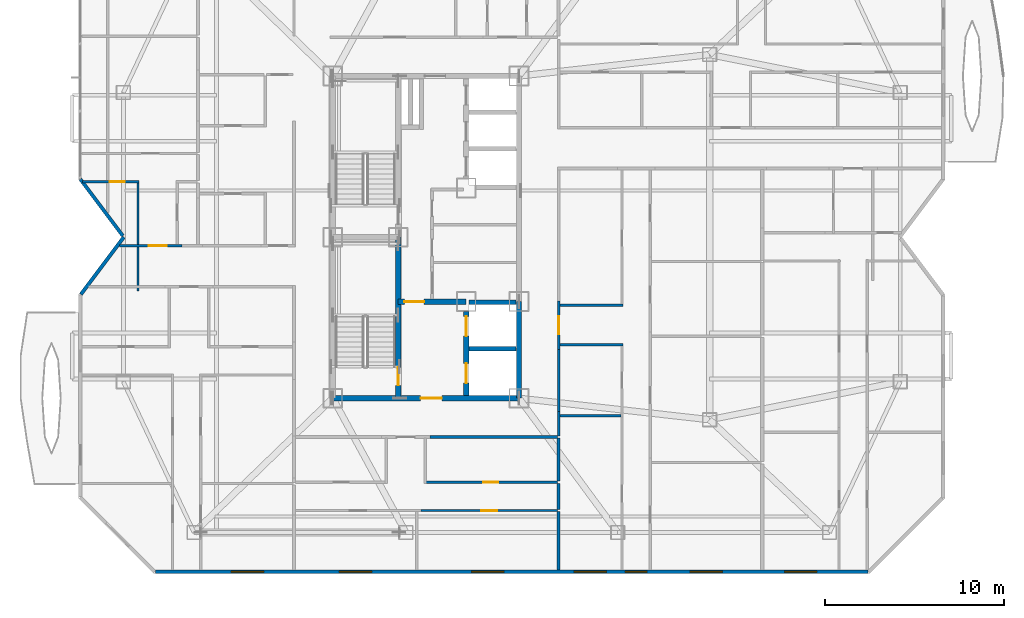
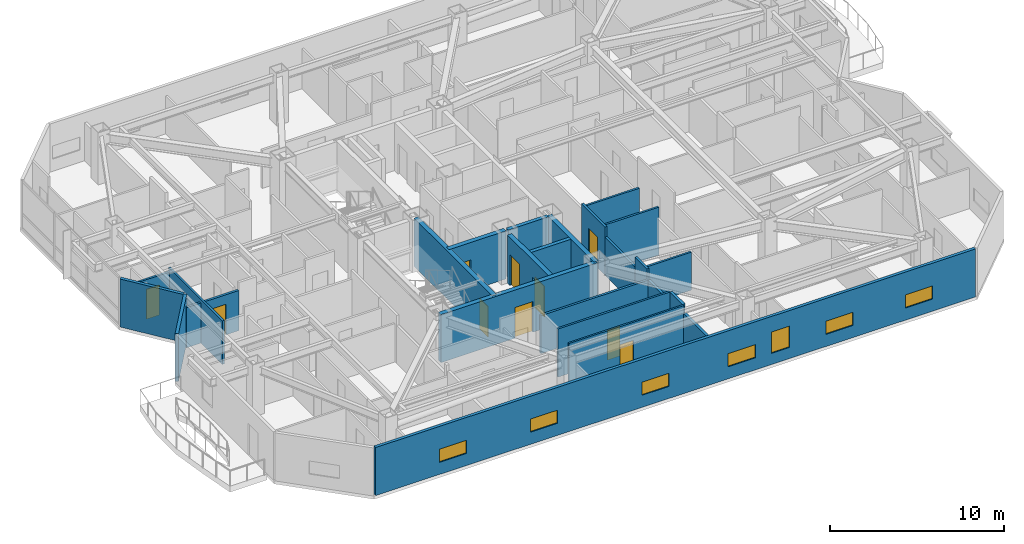
# One storey, part 13 of 20: 25 walls, 10 doors, 7 windows, 17 openings.
"""IFC4 building model written with IfcOpenShell, lengths in metres."""

from ifc_helpers import new_model, si_unit, direction, frame, frame_2d, origin, place, context, subcontext, project, spatial, rectangle, extrude, material, layer, layer_set, type_object, element, fill, save


model = new_model("IFC4")

# Units and contexts
model_context = context("Model", 3, precision=1e-05, world=origin(), true_north=direction((0.0, 1.0)))
body_context = subcontext(model_context, "Body", "Model", "MODEL_VIEW")
ifc_project = project(units=[si_unit("LENGTHUNIT", "METRE"), si_unit("AREAUNIT", "SQUARE_METRE"), si_unit("VOLUMEUNIT", "CUBIC_METRE"), si_unit("PLANEANGLEUNIT", "RADIAN"), si_unit("MASSUNIT", "GRAM", prefix="KILO")], contexts=[model_context])

# Site, building, storey
site_placement = place(None, origin())
site = spatial("IfcSite", under=ifc_project, at=site_placement, CompositionType="ELEMENT")
building_placement = place(site_placement, origin())
building = spatial("IfcBuilding", under=site, at=building_placement, Name="Khamvora Tower", CompositionType="ELEMENT")
storey_placement = place(building_placement, frame((0.0, 0.0, 203.35009765625)))
storey = spatial("IfcBuildingStorey", under=building, at=storey_placement, Name="L52", CompositionType="ELEMENT", Elevation=203.35009765625)

# Wall, opening, door
ifc_material_1 = material(Name="Concrete C50/60", Category="concrete")
ifc_layer_1 = layer(ifc_material_1, 0.300048828125)
ifc_layer_set_1 = layer_set([ifc_layer_1], Name="Concrete C50/60")
wall_type_1 = type_object("IfcWallType", Name="WAL-CORE-300", PredefinedType="SHEAR", material=ifc_layer_set_1)
wall_1_placement = place(storey_placement, frame((29.0, 19.0, 0.0), z_axis=(0.0, 0.0, 1.0), x_axis=(1.0, 0.0, 0.0)))
wall_1 = element("IfcWall", 1, at=wall_1_placement, inside=storey, type_object=wall_type_1, Name="L52 central core south wall", PredefinedType="SHEAR", context=body_context, shape_type="SweptSolid", body=[
    extrude(rectangle(XDim=10.39990234375, YDim=0.300048828125, at=frame_2d((5.199951171875, 0.0))), origin(), (0.0, 0.0, 1.0), 3.369873046875),
])
opening_1_placement = place(wall_1_placement, frame((4.89990234375, 0.0, 0.0)))
opening_1 = element("IfcOpeningElement", 2, at=opening_1_placement, cuts=wall_1, Name="Opening D-CR1", PredefinedType="OPENING", context=body_context, shape_type="SweptSolid", body=[
    extrude(rectangle(XDim=1.199951171875, YDim=2.14990234375, at=frame_2d((0.60009765625, 1.074951171875))), frame((0.0, 0.159912109375, 0.0), z_axis=(0.0, -1.0, 0.0), x_axis=(1.0, 0.0, 0.0)), (0.0, 0.0, 1.0), 0.320068359375),
])
ifc_material_2 = material(Name="Powder-Coated Steel and Hardwood Leaf", Category="steel")
door_type_1 = type_object("IfcDoorType", Name="DOR-CORR-1200", OperationType="NOTDEFINED", PredefinedType="DOOR", material=ifc_material_2)
door_1_placement = place(opening_1_placement, origin())
door_1 = element("IfcDoor", 3, at=door_1_placement, inside=storey, type_object=door_type_1, Name="L52 south core lobby to corridor fire door", OperationType="SINGLE_SWING_LEFT", OverallHeight=2.14990234375, OverallWidth=1.199951171875, PredefinedType="DOOR", context=body_context, shape_type="SweptSolid", body=[
    extrude(rectangle(XDim=1.199951171875, YDim=2.14990234375, at=frame_2d((0.60009765625, 1.074951171875))), frame((0.0, 0.02490234375, 0.0), z_axis=(0.0, -1.0, 0.0), x_axis=(1.0, 0.0, 0.0)), (0.0, 0.0, 1.0), 0.050048828125),
])
fill(opening_1, door_1)

# Wall
wall_2_placement = place(storey_placement, frame((39.39990234375, 19.0, 0.0), z_axis=(0.0, 0.0, 1.0), x_axis=(0.0, 1.0, 0.0)))
element("IfcWall", 4, at=wall_2_placement, inside=storey, type_object=wall_type_1, Name="L52 central core east south wall", PredefinedType="SHEAR", context=body_context, shape_type="SweptSolid", body=[
    extrude(rectangle(XDim=5.39990234375, YDim=0.300048828125, at=frame_2d((2.699951171875, 0.0))), origin(), (0.0, 0.0, 1.0), 3.369873046875),
])

# Wall, opening, door
wall_3_placement = place(storey_placement, frame((32.64990234375, 19.0, 0.0), z_axis=(0.0, 0.0, 1.0), x_axis=(0.0, 1.0, 0.0)))
wall_3 = element("IfcWall", 5, at=wall_3_placement, inside=storey, type_object=wall_type_1, Name="L52 central core stair south spine wall", PredefinedType="SHEAR", context=body_context, shape_type="SweptSolid", body=[
    extrude(rectangle(XDim=9.0, YDim=0.300048828125, at=frame_2d((4.5, 0.0))), origin(), (0.0, 0.0, 1.0), 3.369873046875),
])
opening_2_placement = place(wall_3_placement, frame((0.719970703125, 0.0, 0.0)))
opening_2 = element("IfcOpeningElement", 6, at=opening_2_placement, cuts=wall_3, Name="Opening D-ST1", PredefinedType="OPENING", context=body_context, shape_type="SweptSolid", body=[
    extrude(rectangle(XDim=1.0, YDim=2.14990234375, at=frame_2d((0.5, 1.074951171875))), frame((0.0, 0.159912109375, 0.0), z_axis=(0.0, -1.0, 0.0), x_axis=(1.0, 0.0, 0.0)), (0.0, 0.0, 1.0), 0.320068359375),
])
door_type_2 = type_object("IfcDoorType", Name="DOR-STAIR-1000", OperationType="NOTDEFINED", PredefinedType="DOOR", material=ifc_material_2)
door_2_placement = place(opening_2_placement, origin())
door_2 = element("IfcDoor", 7, at=door_2_placement, inside=storey, type_object=door_type_2, Name="L52 exit stair ST-01 fire door", OperationType="SINGLE_SWING_RIGHT", OverallHeight=2.14990234375, OverallWidth=1.0, PredefinedType="DOOR", context=body_context, shape_type="SweptSolid", body=[
    extrude(rectangle(XDim=1.0, YDim=2.14990234375, at=frame_2d((0.5, 1.074951171875))), frame((0.0, 0.02490234375, 0.0), z_axis=(0.0, -1.0, 0.0), x_axis=(1.0, 0.0, 0.0)), (0.0, 0.0, 1.0), 0.050048828125),
])
fill(opening_2, door_2)

wall_4_placement = place(storey_placement, frame((32.64990234375, 24.39990234375, 0.0), z_axis=(0.0, 0.0, 1.0), x_axis=(1.0, 0.0, 0.0)))
wall_4 = element("IfcWall", 8, at=wall_4_placement, inside=storey, type_object=wall_type_1, Name="L52 central core firefighting lobby north wall", PredefinedType="SHEAR", context=body_context, shape_type="SweptSolid", body=[
    extrude(rectangle(XDim=3.800048828125, YDim=0.300048828125, at=frame_2d((1.89990234375, 0.0))), origin(), (0.0, 0.0, 1.0), 3.369873046875),
])
opening_3_placement = place(wall_4_placement, frame((0.35009765625, 0.0, 0.0)))
opening_3 = element("IfcOpeningElement", 9, at=opening_3_placement, cuts=wall_4, Name="Opening D-FF1", PredefinedType="OPENING", context=body_context, shape_type="SweptSolid", body=[
    extrude(rectangle(XDim=1.10009765625, YDim=2.14990234375, at=frame_2d((0.550048828125, 1.074951171875))), frame((0.0, 0.159912109375, 0.0), z_axis=(0.0, -1.0, 0.0), x_axis=(1.0, 0.0, 0.0)), (0.0, 0.0, 1.0), 0.320068359375),
])
door_type_3 = type_object("IfcDoorType", Name="DOR-FFLOB-1100", OperationType="NOTDEFINED", PredefinedType="DOOR", material=ifc_material_2)
door_3_placement = place(opening_3_placement, origin())
door_3 = element("IfcDoor", 10, at=door_3_placement, inside=storey, type_object=door_type_3, Name="L52 firefighting lobby smoke-seal fire door", OperationType="SINGLE_SWING_RIGHT", OverallHeight=2.14990234375, OverallWidth=1.10009765625, PredefinedType="DOOR", context=body_context, shape_type="SweptSolid", body=[
    extrude(rectangle(XDim=1.10009765625, YDim=2.14990234375, at=frame_2d((0.550048828125, 1.074951171875))), frame((0.0, 0.02490234375, 0.0), z_axis=(0.0, -1.0, 0.0), x_axis=(1.0, 0.0, 0.0)), (0.0, 0.0, 1.0), 0.050048828125),
])
fill(opening_3, door_3)

# Wall, openings, doors
wall_5_placement = place(storey_placement, frame((36.449951171875, 19.154052734375, 0.0), z_axis=(0.0, 0.0, 1.0), x_axis=(0.0, 1.0, 0.0)))
wall_5 = element("IfcWall", 11, at=wall_5_placement, inside=storey, type_object=wall_type_1, Name="L52 central core lift bank south wall", PredefinedType="SHEAR", context=body_context, shape_type="SweptSolid", body=[
    extrude(rectangle(XDim=4.696044921875, YDim=0.300048828125, at=frame_2d((2.34814453125, 0.0))), origin(), (0.0, 0.0, 1.0), 3.369873046875),
])
opening_4_placement = place(wall_5_placement, frame((0.696044921875, 0.0, 0.0)))
opening_4 = element("IfcOpeningElement", 12, at=opening_4_placement, cuts=wall_5, Name="Opening LD-FFL", PredefinedType="OPENING", context=body_context, shape_type="SweptSolid", body=[
    extrude(rectangle(XDim=1.10009765625, YDim=2.14990234375, at=frame_2d((0.550048828125, 1.074951171875))), frame((0.0, 0.159912109375, 0.0), z_axis=(0.0, -1.0, 0.0), x_axis=(1.0, 0.0, 0.0)), (0.0, 0.0, 1.0), 0.320068359375),
])
opening_5_placement = place(wall_5_placement, frame((3.31591796875, 0.0, 0.0)))
opening_5 = element("IfcOpeningElement", 13, at=opening_5_placement, cuts=wall_5, Name="Opening LD-FFL", PredefinedType="OPENING", context=body_context, shape_type="SweptSolid", body=[
    extrude(rectangle(XDim=1.10009765625, YDim=2.14990234375, at=frame_2d((0.550048828125, 1.074951171875))), frame((0.0, 0.159912109375, 0.0), z_axis=(0.0, -1.0, 0.0), x_axis=(1.0, 0.0, 0.0)), (0.0, 0.0, 1.0), 0.320068359375),
])
door_type_4 = type_object("IfcDoorType", Name="DOR-LIFT-1100", OperationType="SLIDING_TO_LEFT", PredefinedType="DOOR", material=ifc_material_2)
door_4_placement = place(opening_4_placement, origin())
door_4 = element("IfcDoor", 14, at=door_4_placement, inside=storey, type_object=door_type_4, Name="L52 lift landing sliding door FFL-01", OperationType="SLIDING_TO_LEFT", OverallHeight=2.14990234375, OverallWidth=1.10009765625, PredefinedType="DOOR", context=body_context, shape_type="SweptSolid", body=[
    extrude(rectangle(XDim=1.10009765625, YDim=2.14990234375, at=frame_2d((0.550048828125, 1.074951171875))), frame((0.0, 0.02490234375, 0.0), z_axis=(0.0, -1.0, 0.0), x_axis=(1.0, 0.0, 0.0)), (0.0, 0.0, 1.0), 0.050048828125),
])
fill(opening_4, door_4)
door_5_placement = place(opening_5_placement, origin())
door_5 = element("IfcDoor", 15, at=door_5_placement, inside=storey, type_object=door_type_4, Name="L52 lift landing sliding door FFL-02", OperationType="SLIDING_TO_LEFT", OverallHeight=2.14990234375, OverallWidth=1.10009765625, PredefinedType="DOOR", context=body_context, shape_type="SweptSolid", body=[
    extrude(rectangle(XDim=1.10009765625, YDim=2.14990234375, at=frame_2d((0.550048828125, 1.074951171875))), frame((0.0, 0.02490234375, 0.0), z_axis=(0.0, -1.0, 0.0), x_axis=(1.0, 0.0, 0.0)), (0.0, 0.0, 1.0), 0.050048828125),
])
fill(opening_5, door_5)

# Wall, opening, door
ifc_material_3 = material(Name="Fire-Rated Drywall and Steel Stud", Category="steel")
ifc_layer_2 = layer(ifc_material_3, 0.14990234375)
ifc_layer_set_2 = layer_set([ifc_layer_2], Name="Fire-Rated Drywall and Steel Stud")
wall_type_2 = type_object("IfcWallType", Name="WAL-CORR-150", PredefinedType="STANDARD", material=ifc_layer_set_2)
wall_6_placement = place(storey_placement, frame((17.075927734375, 27.514892578125, 0.0), z_axis=(0.0, 0.0, 1.0), x_axis=(1.0, 0.0, 0.0)))
wall_6 = element("IfcWall", 16, at=wall_6_placement, inside=storey, type_object=wall_type_2, Name="L52 interior partition wall 014", PredefinedType="STANDARD", context=body_context, shape_type="SweptSolid", body=[
    extrude(rectangle(XDim=3.489013671875, YDim=0.14990234375, at=frame_2d((1.74462890625, 0.0))), origin(), (0.0, 0.0, 1.0), 2.81591796875),
])
opening_6_placement = place(wall_6_placement, frame((1.639892578125, 0.0, 0.0)))
opening_6 = element("IfcOpeningElement", 17, at=opening_6_placement, cuts=wall_6, Name="Opening D-U1", PredefinedType="OPENING", context=body_context, shape_type="SweptSolid", body=[
    extrude(rectangle(XDim=1.0, YDim=2.14990234375, at=frame_2d((0.5, 1.074951171875))), frame((0.0, 0.0849609375, 0.0), z_axis=(0.0, -1.0, 0.0), x_axis=(1.0, 0.0, 0.0)), (0.0, 0.0, 1.0), 0.169921875),
])
door_type_5 = type_object("IfcDoorType", Name="DOR-UNIT-1000", OperationType="NOTDEFINED", PredefinedType="DOOR", material=ifc_material_2)
door_6_placement = place(opening_6_placement, origin())
door_6 = element("IfcDoor", 18, at=door_6_placement, inside=storey, type_object=door_type_5, Name="L52 interior door COR-52WBH", OperationType="SINGLE_SWING_RIGHT", OverallHeight=2.14990234375, OverallWidth=1.0, PredefinedType="DOOR", context=body_context, shape_type="SweptSolid", body=[
    extrude(rectangle(XDim=1.0, YDim=2.14990234375, at=frame_2d((0.5, 1.074951171875))), frame((0.0, 0.02490234375, 0.0), z_axis=(0.0, -1.0, 0.0), x_axis=(1.0, 0.0, 0.0)), (0.0, 0.0, 1.0), 0.050048828125),
])
fill(opening_6, door_6)

# Walls
wall_7_placement = place(storey_placement, frame((41.550048828125, 16.8349609375, 0.0), z_axis=(0.0, 0.0, 1.0), x_axis=(-1.0, 0.0, 0.0)))
element("IfcWall", 19, at=wall_7_placement, inside=storey, type_object=wall_type_2, Name="L52 interior partition wall 021", PredefinedType="STANDARD", context=body_context, shape_type="SweptSolid", body=[
    extrude(rectangle(XDim=7.1259765625, YDim=0.14990234375, at=frame_2d((3.56298828125, 0.0))), origin(), (0.0, 0.0, 1.0), 2.664794921875),
])
wall_8_placement = place(storey_placement, frame((41.614990234375, 18.26806640625, 0.0), z_axis=(0.0, 0.0, 1.0), x_axis=(0.0, -1.0, 0.0)))
element("IfcWall", 20, at=wall_8_placement, inside=storey, type_object=wall_type_2, Name="L52 interior partition wall 025", PredefinedType="STANDARD", context=body_context, shape_type="SweptSolid", body=[
    extrude(rectangle(XDim=1.3681640625, YDim=0.14990234375, at=frame_2d((0.68408203125, 0.0))), origin(), (0.0, 0.0, 1.0), 3.369873046875),
])

# Wall, opening, door
wall_9_placement = place(storey_placement, frame((41.614990234375, 24.43310546875, 0.0), z_axis=(0.0, 0.0, 1.0), x_axis=(0.0, -1.0, 0.0)))
wall_9 = element("IfcWall", 21, at=wall_9_placement, inside=storey, type_object=wall_type_2, Name="L52 interior partition wall 027", PredefinedType="STANDARD", context=body_context, shape_type="SweptSolid", body=[
    extrude(rectangle(XDim=2.697998046875, YDim=0.14990234375, at=frame_2d((1.34912109375, 0.0))), origin(), (0.0, 0.0, 1.0), 3.369873046875),
])
opening_7_placement = place(wall_9_placement, frame((0.84912109375, 0.0, 0.0)))
opening_7 = element("IfcOpeningElement", 22, at=opening_7_placement, cuts=wall_9, Name="Opening D-U1", PredefinedType="OPENING", context=body_context, shape_type="SweptSolid", body=[
    extrude(rectangle(XDim=1.0, YDim=2.14990234375, at=frame_2d((0.5, 1.074951171875))), frame((0.0, 0.0849609375, 0.0), z_axis=(0.0, -1.0, 0.0), x_axis=(1.0, 0.0, 0.0)), (0.0, 0.0, 1.0), 0.169921875),
])
door_7_placement = place(opening_7_placement, origin())
door_7 = element("IfcDoor", 23, at=door_7_placement, inside=storey, type_object=door_type_5, Name="L52 interior door COR-52EAH", OperationType="SINGLE_SWING_RIGHT", OverallHeight=2.14990234375, OverallWidth=1.0, PredefinedType="DOOR", context=body_context, shape_type="SweptSolid", body=[
    extrude(rectangle(XDim=1.0, YDim=2.14990234375, at=frame_2d((0.5, 1.074951171875))), frame((0.0, 0.02490234375, 0.0), z_axis=(0.0, -1.0, 0.0), x_axis=(1.0, 0.0, 0.0)), (0.0, 0.0, 1.0), 0.050048828125),
])
fill(opening_7, door_7)

# Walls
wall_10_placement = place(storey_placement, frame((41.614990234375, 21.735107421875, 0.0), z_axis=(0.0, 0.0, 1.0), x_axis=(0.0, -1.0, 0.0)))
element("IfcWall", 24, at=wall_10_placement, inside=storey, type_object=wall_type_2, Name="L52 interior partition wall 028", PredefinedType="STANDARD", context=body_context, shape_type="SweptSolid", body=[
    extrude(rectangle(XDim=3.467041015625, YDim=0.14990234375, at=frame_2d((1.7333984375, 0.0))), origin(), (0.0, 0.0, 1.0), 2.664794921875),
])
ifc_material_4 = material(Name="Acoustic Double-Stud Fire Wall", Category="gypsum")
ifc_layer_3 = layer(ifc_material_4, 0.179931640625)
ifc_layer_set_3 = layer_set([ifc_layer_3], Name="Acoustic Double-Stud Fire Wall")
wall_type_3 = type_object("IfcWallType", Name="WAL-CORR-180", PredefinedType="STANDARD", material=ifc_layer_set_3)
wall_11_placement = place(storey_placement, frame((41.614990234375, 14.239990234375, 0.0), z_axis=(0.0, 0.0, 1.0), x_axis=(0.0, -1.0, 0.0)))
element("IfcWall", 25, at=wall_11_placement, inside=storey, type_object=wall_type_3, Name="L52 interior partition wall 089", PredefinedType="STANDARD", context=body_context, shape_type="SweptSolid", body=[
    extrude(rectangle(XDim=1.449951171875, YDim=0.179931640625, at=frame_2d((0.72509765625, 0.0))), origin(), (0.0, 0.0, 1.0), 3.369873046875),
])
wall_12_placement = place(storey_placement, frame((41.614990234375, 16.77001953125, 0.0), z_axis=(0.0, 0.0, 1.0), x_axis=(0.0, -1.0, 0.0)))
element("IfcWall", 26, at=wall_12_placement, inside=storey, type_object=wall_type_3, Name="L52 interior partition wall 090", PredefinedType="STANDARD", context=body_context, shape_type="SweptSolid", body=[
    extrude(rectangle(XDim=2.39990234375, YDim=0.179931640625, at=frame_2d((1.199951171875, 0.0))), origin(), (0.0, 0.0, 1.0), 2.664794921875),
])
wall_13_placement = place(storey_placement, frame((41.614990234375, 12.659912109375, 0.0), z_axis=(0.0, 0.0, 1.0), x_axis=(0.0, -1.0, 0.0)))
element("IfcWall", 27, at=wall_13_placement, inside=storey, type_object=wall_type_3, Name="L52 interior partition wall 092", PredefinedType="STANDARD", context=body_context, shape_type="SweptSolid", body=[
    extrude(rectangle(XDim=3.267822265625, YDim=0.179931640625, at=frame_2d((1.6337890625, 0.0))), origin(), (0.0, 0.0, 1.0), 2.81591796875),
])
ifc_material_5 = material(Name="Precast concrete C40/50", Category="concrete")
ifc_layer_4 = layer(ifc_material_5, 0.199951171875)
ifc_layer_set_4 = layer_set([ifc_layer_4], Name="Precast concrete C40/50")
wall_type_4 = type_object("IfcWallType", Name="WAL-EXT-200", PredefinedType="STANDARD", material=ifc_layer_set_4)
wall_14_placement = place(storey_placement, frame((14.929931640625, 24.806884765625, 0.0), z_axis=(0.0, 0.0, 1.0), x_axis=(0.600029358831, 0.799977980035, 0.0)))
element("IfcWall", 28, at=wall_14_placement, inside=storey, type_object=wall_type_4, Name="L52 exterior facade wall 03.1", PredefinedType="STANDARD", context=body_context, shape_type="SweptSolid", body=[
    extrude(rectangle(XDim=3.991455078125, YDim=0.199951171875, at=frame_2d((1.99560546875, 0.0))), origin(), (0.0, 0.0, 1.0), 3.369873046875),
])
wall_15_placement = place(storey_placement, frame((17.27294921875, 28.069091796875, 0.0), z_axis=(0.0, 0.0, 1.0), x_axis=(-0.600029630681, 0.799977776132, 0.0)))
element("IfcWall", 29, at=wall_15_placement, inside=storey, type_object=wall_type_4, Name="L52 exterior facade wall 04.1", PredefinedType="STANDARD", context=body_context, shape_type="SweptSolid", body=[
    extrude(rectangle(XDim=3.954833984375, YDim=0.199951171875, at=frame_2d((1.9775390625, 0.0))), origin(), (0.0, 0.0, 1.0), 3.369873046875),
])

# Wall, openings, windows
wall_16_placement = place(storey_placement, frame((58.89599609375, 9.300048828125, 0.0), z_axis=(0.0, 0.0, 1.0), x_axis=(-1.0, 0.0, 0.0)))
wall_16 = element("IfcWall", 30, at=wall_16_placement, inside=storey, type_object=wall_type_4, Name="L52 exterior facade wall 14.1", PredefinedType="STANDARD", context=body_context, shape_type="SweptSolid", body=[
    extrude(rectangle(XDim=39.79296875, YDim=0.199951171875, at=frame_2d((19.896484375, 0.0))), origin(), (0.0, 0.0, 1.0), 3.369873046875),
])
opening_8_placement = place(wall_16_placement, frame((33.76611328125, 0.0, 0.85009765625)))
opening_8 = element("IfcOpeningElement", 31, at=opening_8_placement, cuts=wall_16, Name="Opening WN-09", PredefinedType="OPENING", context=body_context, shape_type="SweptSolid", body=[
    extrude(rectangle(XDim=1.800048828125, YDim=0.919921875, at=frame_2d((0.89990234375, 0.4599609375))), frame((0.0, 0.10986328125, 0.0), z_axis=(0.0, -1.0, 0.0), x_axis=(1.0, 0.0, 0.0)), (0.0, 0.0, 1.0), 0.219970703125),
])
opening_9_placement = place(wall_16_placement, frame((27.73291015625, 0.0, 0.85009765625)))
opening_9 = element("IfcOpeningElement", 32, at=opening_9_placement, cuts=wall_16, Name="Opening WN-09", PredefinedType="OPENING", context=body_context, shape_type="SweptSolid", body=[
    extrude(rectangle(XDim=1.800048828125, YDim=0.919921875, at=frame_2d((0.89990234375, 0.4599609375))), frame((0.0, 0.10986328125, 0.0), z_axis=(0.0, -1.0, 0.0), x_axis=(1.0, 0.0, 0.0)), (0.0, 0.0, 1.0), 0.219970703125),
])
opening_10_placement = place(wall_16_placement, frame((20.343017578125, 0.0, 0.85009765625)))
opening_10 = element("IfcOpeningElement", 33, at=opening_10_placement, cuts=wall_16, Name="Opening WN-09", PredefinedType="OPENING", context=body_context, shape_type="SweptSolid", body=[
    extrude(rectangle(XDim=1.800048828125, YDim=0.919921875, at=frame_2d((0.89990234375, 0.4599609375))), frame((0.0, 0.10986328125, 0.0), z_axis=(0.0, -1.0, 0.0), x_axis=(1.0, 0.0, 0.0)), (0.0, 0.0, 1.0), 0.219970703125),
])
opening_11_placement = place(wall_16_placement, frame((14.60888671875, 0.0, 0.85009765625)))
opening_11 = element("IfcOpeningElement", 34, at=opening_11_placement, cuts=wall_16, Name="Opening WN-09", PredefinedType="OPENING", context=body_context, shape_type="SweptSolid", body=[
    extrude(rectangle(XDim=1.800048828125, YDim=0.919921875, at=frame_2d((0.89990234375, 0.4599609375))), frame((0.0, 0.10986328125, 0.0), z_axis=(0.0, -1.0, 0.0), x_axis=(1.0, 0.0, 0.0)), (0.0, 0.0, 1.0), 0.219970703125),
])
opening_12_placement = place(wall_16_placement, frame((12.347900390625, 0.0, 0.780029296875)))
opening_12 = element("IfcOpeningElement", 35, at=opening_12_placement, cuts=wall_16, Name="Opening WN-03", PredefinedType="OPENING", context=body_context, shape_type="SweptSolid", body=[
    extrude(rectangle(XDim=1.199951171875, YDim=1.5, at=frame_2d((0.60009765625, 0.75))), frame((0.0, 0.10986328125, 0.0), z_axis=(0.0, -1.0, 0.0), x_axis=(1.0, 0.0, 0.0)), (0.0, 0.0, 1.0), 0.219970703125),
])
opening_13_placement = place(wall_16_placement, frame((8.134033203125, 0.0, 0.85009765625)))
opening_13 = element("IfcOpeningElement", 36, at=opening_13_placement, cuts=wall_16, Name="Opening WN-09", PredefinedType="OPENING", context=body_context, shape_type="SweptSolid", body=[
    extrude(rectangle(XDim=1.800048828125, YDim=0.919921875, at=frame_2d((0.89990234375, 0.4599609375))), frame((0.0, 0.10986328125, 0.0), z_axis=(0.0, -1.0, 0.0), x_axis=(1.0, 0.0, 0.0)), (0.0, 0.0, 1.0), 0.219970703125),
])
opening_14_placement = place(wall_16_placement, frame((2.861083984375, 0.0, 0.85009765625)))
opening_14 = element("IfcOpeningElement", 37, at=opening_14_placement, cuts=wall_16, Name="Opening WN-09", PredefinedType="OPENING", context=body_context, shape_type="SweptSolid", body=[
    extrude(rectangle(XDim=1.800048828125, YDim=0.919921875, at=frame_2d((0.89990234375, 0.4599609375))), frame((0.0, 0.10986328125, 0.0), z_axis=(0.0, -1.0, 0.0), x_axis=(1.0, 0.0, 0.0)), (0.0, 0.0, 1.0), 0.219970703125),
])
ifc_material_6 = material(Name="Low-E Laminated Double Glazing", Category="glass")
window_type_1 = type_object("IfcWindowType", Name="WIN-CLR-1800x920", PartitioningType="SINGLE_PANEL", PredefinedType="WINDOW", material=ifc_material_6)
window_1_placement = place(opening_8_placement, origin())
window_1 = element("IfcWindow", 38, at=window_1_placement, inside=storey, type_object=window_type_1, Name="L52 vision window 14.1.01", OverallHeight=0.919921875, OverallWidth=1.800048828125, PartitioningType="SINGLE_PANEL", PredefinedType="WINDOW", context=body_context, shape_type="SweptSolid", body=[
    extrude(rectangle(XDim=1.800048828125, YDim=0.919921875, at=frame_2d((0.89990234375, 0.4599609375))), frame((0.0, 0.030029296875, 0.0), z_axis=(0.0, -1.0, 0.0), x_axis=(1.0, 0.0, 0.0)), (0.0, 0.0, 1.0), 0.06005859375),
])
fill(opening_8, window_1)
window_2_placement = place(opening_9_placement, origin())
window_2 = element("IfcWindow", 39, at=window_2_placement, inside=storey, type_object=window_type_1, Name="L52 vision window 14.1.02", OverallHeight=0.919921875, OverallWidth=1.800048828125, PartitioningType="SINGLE_PANEL", PredefinedType="WINDOW", context=body_context, shape_type="SweptSolid", body=[
    extrude(rectangle(XDim=1.800048828125, YDim=0.919921875, at=frame_2d((0.89990234375, 0.4599609375))), frame((0.0, 0.030029296875, 0.0), z_axis=(0.0, -1.0, 0.0), x_axis=(1.0, 0.0, 0.0)), (0.0, 0.0, 1.0), 0.06005859375),
])
fill(opening_9, window_2)
window_3_placement = place(opening_10_placement, origin())
window_3 = element("IfcWindow", 40, at=window_3_placement, inside=storey, type_object=window_type_1, Name="L52 vision window 14.1.03", OverallHeight=0.919921875, OverallWidth=1.800048828125, PartitioningType="SINGLE_PANEL", PredefinedType="WINDOW", context=body_context, shape_type="SweptSolid", body=[
    extrude(rectangle(XDim=1.800048828125, YDim=0.919921875, at=frame_2d((0.89990234375, 0.4599609375))), frame((0.0, 0.030029296875, 0.0), z_axis=(0.0, -1.0, 0.0), x_axis=(1.0, 0.0, 0.0)), (0.0, 0.0, 1.0), 0.06005859375),
])
fill(opening_10, window_3)
window_4_placement = place(opening_11_placement, origin())
window_4 = element("IfcWindow", 41, at=window_4_placement, inside=storey, type_object=window_type_1, Name="L52 vision window 14.1.04", OverallHeight=0.919921875, OverallWidth=1.800048828125, PartitioningType="SINGLE_PANEL", PredefinedType="WINDOW", context=body_context, shape_type="SweptSolid", body=[
    extrude(rectangle(XDim=1.800048828125, YDim=0.919921875, at=frame_2d((0.89990234375, 0.4599609375))), frame((0.0, 0.030029296875, 0.0), z_axis=(0.0, -1.0, 0.0), x_axis=(1.0, 0.0, 0.0)), (0.0, 0.0, 1.0), 0.06005859375),
])
fill(opening_11, window_4)
window_5_placement = place(opening_13_placement, origin())
window_5 = element("IfcWindow", 42, at=window_5_placement, inside=storey, type_object=window_type_1, Name="L52 vision window 14.1.06", OverallHeight=0.919921875, OverallWidth=1.800048828125, PartitioningType="SINGLE_PANEL", PredefinedType="WINDOW", context=body_context, shape_type="SweptSolid", body=[
    extrude(rectangle(XDim=1.800048828125, YDim=0.919921875, at=frame_2d((0.89990234375, 0.4599609375))), frame((0.0, 0.030029296875, 0.0), z_axis=(0.0, -1.0, 0.0), x_axis=(1.0, 0.0, 0.0)), (0.0, 0.0, 1.0), 0.06005859375),
])
fill(opening_13, window_5)
window_6_placement = place(opening_14_placement, origin())
window_6 = element("IfcWindow", 43, at=window_6_placement, inside=storey, type_object=window_type_1, Name="L52 vision window 14.1.07", OverallHeight=0.919921875, OverallWidth=1.800048828125, PartitioningType="SINGLE_PANEL", PredefinedType="WINDOW", context=body_context, shape_type="SweptSolid", body=[
    extrude(rectangle(XDim=1.800048828125, YDim=0.919921875, at=frame_2d((0.89990234375, 0.4599609375))), frame((0.0, 0.030029296875, 0.0), z_axis=(0.0, -1.0, 0.0), x_axis=(1.0, 0.0, 0.0)), (0.0, 0.0, 1.0), 0.06005859375),
])
fill(opening_14, window_6)
window_type_2 = type_object("IfcWindowType", Name="WIN-VIS-1200x1500", PartitioningType="SINGLE_PANEL", PredefinedType="WINDOW", material=ifc_material_6)
window_7_placement = place(opening_12_placement, origin())
window_7 = element("IfcWindow", 44, at=window_7_placement, inside=storey, type_object=window_type_2, Name="L52 vision window 14.1.05", OverallHeight=1.5, OverallWidth=1.199951171875, PartitioningType="SINGLE_PANEL", PredefinedType="WINDOW", context=body_context, shape_type="SweptSolid", body=[
    extrude(rectangle(XDim=1.199951171875, YDim=1.5, at=frame_2d((0.60009765625, 0.75))), frame((0.0, 0.030029296875, 0.0), z_axis=(0.0, -1.0, 0.0), x_axis=(1.0, 0.0, 0.0)), (0.0, 0.0, 1.0), 0.06005859375),
])
fill(opening_12, window_7)

# Wall, opening, door
ifc_material_7 = material(Name="Gypsum Plasterboard Partition", Category="gypsum")
ifc_layer_5 = layer(ifc_material_7, 0.1201171875)
ifc_layer_set_5 = layer_set([ifc_layer_5], Name="Gypsum Plasterboard Partition")
wall_type_5 = type_object("IfcWallType", Name="WAL-PART-120", PredefinedType="PARTITIONING", material=ifc_layer_set_5)
wall_17_placement = place(storey_placement, frame((41.550048828125, 12.72509765625, 0.0), z_axis=(0.0, 0.0, 1.0), x_axis=(-1.0, 0.0, 0.0)))
wall_17 = element("IfcWall", 45, at=wall_17_placement, inside=storey, type_object=wall_type_5, Name="L52 interior partition wall 088", PredefinedType="PARTITIONING", context=body_context, shape_type="SweptSolid", body=[
    extrude(rectangle(XDim=7.611083984375, YDim=0.1201171875, at=frame_2d((3.8056640625, 0.0))), origin(), (0.0, 0.0, 1.0), 3.369873046875),
])
opening_15_placement = place(wall_17_placement, frame((3.35498046875, 0.0, 0.0)))
opening_15 = element("IfcOpeningElement", 46, at=opening_15_placement, cuts=wall_17, Name="Opening D-RM1", PredefinedType="OPENING", context=body_context, shape_type="SweptSolid", body=[
    extrude(rectangle(XDim=0.89990234375, YDim=2.10009765625, at=frame_2d((0.449951171875, 1.050048828125))), frame((0.0, 0.070068359375, 0.0), z_axis=(0.0, -1.0, 0.0), x_axis=(1.0, 0.0, 0.0)), (0.0, 0.0, 1.0), 0.14013671875),
])
door_type_6 = type_object("IfcDoorType", Name="DOR-ROOM-900", OperationType="NOTDEFINED", PredefinedType="DOOR", material=ifc_material_2)
door_8_placement = place(opening_15_placement, origin())
door_8 = element("IfcDoor", 47, at=door_8_placement, inside=storey, type_object=door_type_6, Name="L52 interior door 52SAH-52SAR2", OperationType="SINGLE_SWING_LEFT", OverallHeight=2.10009765625, OverallWidth=0.89990234375, PredefinedType="DOOR", context=body_context, shape_type="SweptSolid", body=[
    extrude(rectangle(XDim=0.89990234375, YDim=2.10009765625, at=frame_2d((0.449951171875, 1.050048828125))), frame((0.0, 0.02490234375, 0.0), z_axis=(0.0, -1.0, 0.0), x_axis=(1.0, 0.0, 0.0)), (0.0, 0.0, 1.0), 0.050048828125),
])
fill(opening_15, door_8)

# Walls
ifc_material_8 = material(Name="Concrete C40/50", Category="concrete")
ifc_layer_6 = layer(ifc_material_8, 0.25)
ifc_layer_set_6 = layer_set([ifc_layer_6], Name="Concrete C40/50")
wall_type_6 = type_object("IfcWallType", Name="WAL-PODS-250", PredefinedType="SHEAR", material=ifc_layer_set_6)
for number, where, z_axis, x_axis, name in (
    (48, (36.60400390625, 21.77490234375, 0.0), (0.0, 0.0, 1.0), (1.0, 0.0, 0.0), "L52 lift shaft divider wall FFL-01"),
    (49, (36.60400390625, 24.375, 0.0), (0.0, 0.0, 1.0), (1.0, 0.0, 0.0), "L52 lift shaft divider wall FFL-02"),
):
    element("IfcWall", number, at=place(storey_placement, frame(where, z_axis=z_axis, x_axis=x_axis)), inside=storey, type_object=wall_type_6, Name=name, PredefinedType="SHEAR", context=body_context, shape_type="SweptSolid", body=[
        extrude(rectangle(XDim=2.64208984375, YDim=0.25, at=frame_2d((1.321044921875, 0.0))), origin(), (0.0, 0.0, 1.0), 3.369873046875),
    ])
ifc_material_9 = material(Name="Moisture-Resistant Plasterboard Partition", Category="gypsum")
ifc_layer_7 = layer(ifc_material_9, 0.135009765625)
ifc_layer_set_7 = layer_set([ifc_layer_7], Name="Moisture-Resistant Plasterboard Partition")
wall_type_7 = type_object("IfcWallType", Name="WAL-WET-135", PredefinedType="PARTITIONING", material=ifc_layer_set_7)
wall_18_placement = place(storey_placement, frame((18.115966796875, 24.97998046875, 0.0), z_axis=(0.0, 0.0, 1.0), x_axis=(0.0, 1.0, 0.0)))
element("IfcWall", 50, at=wall_18_placement, inside=storey, type_object=wall_type_7, Name="L52 interior partition wall 064", PredefinedType="PARTITIONING", context=body_context, shape_type="SweptSolid", body=[
    extrude(rectangle(XDim=6.179931640625, YDim=0.135009765625, at=frame_2d((3.08984375, 0.0))), origin(), (0.0, 0.0, 1.0), 3.046875),
])

# Wall, opening, door
wall_19_placement = place(storey_placement, frame((18.180908203125, 31.094970703125, 0.0), z_axis=(0.0, 0.0, 1.0), x_axis=(-1.0, 0.0, 0.0)))
wall_19 = element("IfcWall", 51, at=wall_19_placement, inside=storey, type_object=wall_type_7, Name="L52 interior partition wall 065", PredefinedType="PARTITIONING", context=body_context, shape_type="SweptSolid", body=[
    extrude(rectangle(XDim=3.15087890625, YDim=0.135009765625, at=frame_2d((1.575439453125, 0.0))), origin(), (0.0, 0.0, 1.0), 2.81591796875),
])
opening_16_placement = place(wall_19_placement, frame((0.801025390625, 0.0, 0.0)))
opening_16 = element("IfcOpeningElement", 52, at=opening_16_placement, cuts=wall_19, Name="Opening D-RM2", PredefinedType="OPENING", context=body_context, shape_type="SweptSolid", body=[
    extrude(rectangle(XDim=0.85009765625, YDim=2.10009765625, at=frame_2d((0.425048828125, 1.050048828125))), frame((0.0, 0.077392578125, 0.0), z_axis=(0.0, -1.0, 0.0), x_axis=(1.0, 0.0, 0.0)), (0.0, 0.0, 1.0), 0.155029296875),
])
door_type_7 = type_object("IfcDoorType", Name="DOR-ROOM-850", OperationType="NOTDEFINED", PredefinedType="DOOR", material=ifc_material_2)
door_9_placement = place(opening_16_placement, origin())
door_9 = element("IfcDoor", 53, at=door_9_placement, inside=storey, type_object=door_type_7, Name="L52 interior door 52WBH-52WBK", OperationType="SINGLE_SWING_RIGHT", OverallHeight=2.10009765625, OverallWidth=0.85009765625, PredefinedType="DOOR", context=body_context, shape_type="SweptSolid", body=[
    extrude(rectangle(XDim=0.85009765625, YDim=2.10009765625, at=frame_2d((0.425048828125, 1.050048828125))), frame((0.0, 0.02490234375, 0.0), z_axis=(0.0, -1.0, 0.0), x_axis=(1.0, 0.0, 0.0)), (0.0, 0.0, 1.0), 0.050048828125),
])
fill(opening_16, door_9)

wall_20_placement = place(storey_placement, frame((34.110107421875, 14.304931640625, 0.0), z_axis=(0.0, 0.0, 1.0), x_axis=(1.0, 0.0, 0.0)))
wall_20 = element("IfcWall", 54, at=wall_20_placement, inside=storey, type_object=wall_type_7, Name="L52 interior partition wall 086", PredefinedType="PARTITIONING", context=body_context, shape_type="SweptSolid", body=[
    extrude(rectangle(XDim=7.43994140625, YDim=0.135009765625, at=frame_2d((3.719970703125, 0.0))), origin(), (0.0, 0.0, 1.0), 3.369873046875),
])
opening_17_placement = place(wall_20_placement, frame((3.294921875, 0.0, 0.0)))
opening_17 = element("IfcOpeningElement", 55, at=opening_17_placement, cuts=wall_20, Name="Opening D-RM2", PredefinedType="OPENING", context=body_context, shape_type="SweptSolid", body=[
    extrude(rectangle(XDim=0.85009765625, YDim=2.10009765625, at=frame_2d((0.425048828125, 1.050048828125))), frame((0.0, 0.077392578125, 0.0), z_axis=(0.0, -1.0, 0.0), x_axis=(1.0, 0.0, 0.0)), (0.0, 0.0, 1.0), 0.155029296875),
])
door_10_placement = place(opening_17_placement, origin())
door_10 = element("IfcDoor", 56, at=door_10_placement, inside=storey, type_object=door_type_7, Name="L52 interior door 52SAH-52SAK", OperationType="SINGLE_SWING_LEFT", OverallHeight=2.10009765625, OverallWidth=0.85009765625, PredefinedType="DOOR", context=body_context, shape_type="SweptSolid", body=[
    extrude(rectangle(XDim=0.85009765625, YDim=2.10009765625, at=frame_2d((0.425048828125, 1.050048828125))), frame((0.0, 0.02490234375, 0.0), z_axis=(0.0, -1.0, 0.0), x_axis=(1.0, 0.0, 0.0)), (0.0, 0.0, 1.0), 0.050048828125),
])
fill(opening_17, door_10)

# Walls
wall_21_placement = place(storey_placement, frame((41.681884765625, 18.01904296875, 0.0), z_axis=(0.0, 0.0, 1.0), x_axis=(1.0, 0.0, 0.0)))
element("IfcWall", 57, at=wall_21_placement, inside=storey, type_object=wall_type_7, Name="L52 interior partition wall 103", PredefinedType="PARTITIONING", context=body_context, shape_type="SweptSolid", body=[
    extrude(rectangle(XDim=3.4111328125, YDim=0.135009765625, at=frame_2d((1.70556640625, 0.0))), origin(), (0.0, 0.0, 1.0), 2.664794921875),
])
for number, where, z_axis, x_axis, name in (
    (58, (45.222900390625, 21.98388671875, 0.0), (0.0, 0.0, 1.0), (-1.0, 0.0, 0.0), "L52 interior partition wall 105"),
    (59, (41.681884765625, 24.18408203125, 0.0), (0.0, 0.0, 1.0), (1.0, 0.0, 0.0), "L52 interior partition wall 106"),
):
    element("IfcWall", number, at=place(storey_placement, frame(where, z_axis=z_axis, x_axis=x_axis)), inside=storey, type_object=wall_type_7, Name=name, PredefinedType="PARTITIONING", context=body_context, shape_type="SweptSolid", body=[
        extrude(rectangle(XDim=3.541015625, YDim=0.135009765625, at=frame_2d((1.7705078125, 0.0))), origin(), (0.0, 0.0, 1.0), 3.369873046875),
    ])

save(model, "model.ifc")
